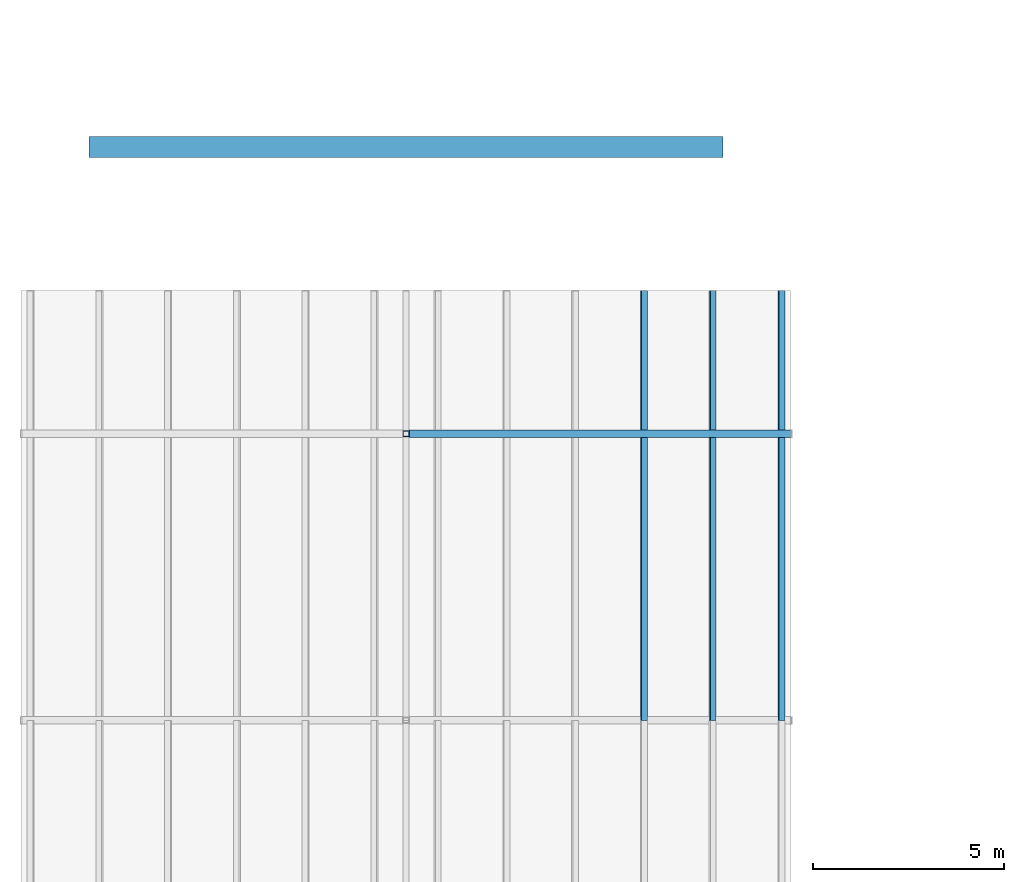
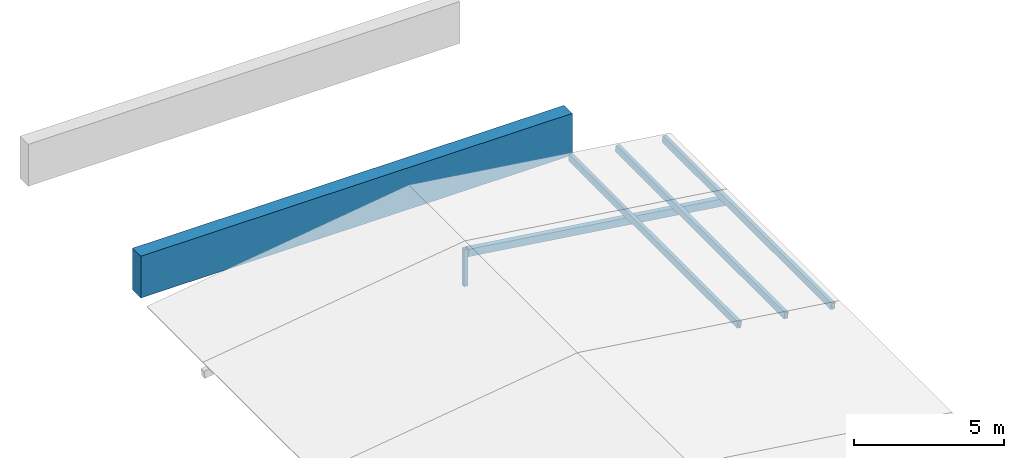
# One storey, part 11 of 52: 5 members, 1 beam.
"""IFC4 building model written with IfcOpenShell, lengths in metres."""

from ifc_helpers import new_model, si_unit, direction, frame, origin, origin_2d, place, context, subcontext, project, spatial, polyline, hollow_rectangle, outline, extrude, material, material_profile, profile_set, type_object, element, save


model = new_model("IFC4")

# Units and contexts
model_context = context("Model", 3, precision=1e-05, world=origin(), true_north=direction((0.0, 1.0)))
body_context = subcontext(model_context, "Body", "Model", "MODEL_VIEW")
ifc_project = project(units=[si_unit("LENGTHUNIT", "METRE"), si_unit("AREAUNIT", "SQUARE_METRE"), si_unit("VOLUMEUNIT", "CUBIC_METRE"), si_unit("PLANEANGLEUNIT", "RADIAN"), si_unit("MASSUNIT", "GRAM", prefix="KILO")], contexts=[model_context])

# Site, building, storey
site_placement = place(None, origin())
site = spatial("IfcSite", under=ifc_project, at=site_placement, CompositionType="ELEMENT")
building_placement = place(site_placement, origin())
building = spatial("IfcBuilding", under=site, at=building_placement, Name="Cour d'Honneur Mobility Palace", CompositionType="ELEMENT")
storey_placement = place(building_placement, frame((0.0, 0.0, 23.0)))
storey = spatial("IfcBuildingStorey", under=building, at=storey_placement, Name="L06", CompositionType="ELEMENT", Elevation=23.0)

# Beam
ifc_material_1 = material(Name="Concrete C45", Category="concrete")
ifc_material_profile_1 = material_profile(ifc_material_1, outline(polyline([(0.27490234375, -1.699951171875), (0.27490234375, 0.0), (-0.27490234375, 0.0), (-0.27490234375, -1.699951171875), (0.27490234375, -1.699951171875)])), Name="Edge Spandrel Beam 550x1700 no ledge plain")
ifc_profile_set_1 = profile_set([ifc_material_profile_1], Name="Concrete C45")
beam_type = type_object("IfcBeamType", Name="Edge Spandrel Beam 550x1700 no ledge plain", PredefinedType="SPANDREL", material=ifc_profile_set_1)
beam_placement = place(storey_placement, frame((0.39990234375, 107.39990234375, 0.0), z_axis=(1.0, 0.0, 0.0), x_axis=(0.0, 1.0, 0.0)))
element("IfcBeam", 1, at=beam_placement, inside=storey, type_object=beam_type, Name="Precast beam B22 1-2 L06", PredefinedType="SPANDREL", context=body_context, shape_type="SweptSolid", body=[
    extrude(outline(polyline([(0.27490234375, -1.699951171875), (0.27490234375, 0.0), (-0.27490234375, 0.0), (-0.27490234375, -1.699951171875), (0.27490234375, -1.699951171875)])), origin(), (0.0, 0.0, 1.0), 16.60009765625),
])

# Members
ifc_material_2 = material(Name="Steel S355", Category="steel")
ifc_material_profile_2 = material_profile(ifc_material_2, hollow_rectangle(XDim=0.14990234375, YDim=0.14990234375, WallThickness=0.008056640625, at=origin_2d()), Name="RHS 150x150x8")
ifc_profile_set_2 = profile_set([ifc_material_profile_2], Name="Steel S355")
member_type_1 = type_object("IfcMemberType", Name="Terrace king post RHS 150x150x8", PredefinedType="STRUT", material=ifc_profile_set_2)
member_1_placement = place(storey_placement, frame((8.699951171875, 99.89990234375, 0.300048828125), z_axis=(0.0, 0.0, 1.0), x_axis=(1.0, 0.0, 0.0)))
element("IfcMember", 2, at=member_1_placement, inside=storey, type_object=member_type_1, Name="Terrace king post TK-C5", PredefinedType="STRUT", context=body_context, shape_type="SweptSolid", body=[
    extrude(hollow_rectangle(XDim=0.14990234375, YDim=0.14990234375, WallThickness=0.008056640625, at=origin_2d()), origin(), (0.0, 0.0, 1.0), 1.5029296875),
])
ifc_material_3 = material(Name="Steel S355", Category="steel")
ifc_material_profile_3 = material_profile(ifc_material_3, hollow_rectangle(XDim=0.14990234375, YDim=0.25, WallThickness=0.010009765625, at=origin_2d()), Name="RHS 250x150x10")
ifc_profile_set_3 = profile_set([ifc_material_profile_3], Name="Steel S355")
member_type_2 = type_object("IfcMemberType", Name="Terrace purlin RHS 250x150x10", PredefinedType="PURLIN", material=ifc_profile_set_3)
for number, where, z_axis, x_axis, name in (
    (3, (18.52490234375, 92.39990234375, 0.55419921875), (0.0, 1.0, 0.0), (-0.990349673475, 0.0, 0.138591212736), "Terrace purlin TU-C7.4"),
    (4, (16.72509765625, 92.39990234375, 0.80615234375), (0.0, 1.0, 0.0), (-0.990349673475, 0.0, 0.138591212736), "Terrace purlin TU-C8.4"),
    (5, (14.925048828125, 92.39990234375, 1.05810546875), (0.0, 1.0, 0.0), (-0.990349673475, 0.0, 0.138591212736), "Terrace purlin TU-C9.4"),
):
    element("IfcMember", number, at=place(storey_placement, frame(where, z_axis=z_axis, x_axis=x_axis)), inside=storey, type_object=member_type_2, Name=name, PredefinedType="PURLIN", context=body_context, shape_type="SweptSolid", body=[
        extrude(hollow_rectangle(XDim=0.14990234375, YDim=0.25, WallThickness=0.010009765625, at=origin_2d()), origin(), (0.0, 0.0, 1.0), 11.25),
    ])
ifc_material_4 = material(Name="Steel S355", Category="steel")
ifc_material_profile_4 = material_profile(ifc_material_4, hollow_rectangle(XDim=0.199951171875, YDim=0.300048828125, WallThickness=0.012451171875, at=origin_2d()), Name="RHS 300x200x12.5")
ifc_profile_set_4 = profile_set([ifc_material_profile_4], Name="Steel S355")
member_type_3 = type_object("IfcMemberType", Name="Terrace rafter RHS 300x200x12.5", PredefinedType="RAFTER", material=ifc_profile_set_4)
member_2_placement = place(storey_placement, frame((8.77490234375, 99.89990234375, 1.640869140625), z_axis=(0.990349712833, 0.0, -0.138590931493), x_axis=(0.0, 1.0, 0.0)))
element("IfcMember", 6, at=member_2_placement, inside=storey, type_object=member_type_3, Name="Terrace rafter TF-C5E", PredefinedType="RAFTER", context=body_context, shape_type="SweptSolid", body=[
    extrude(hollow_rectangle(XDim=0.199951171875, YDim=0.300048828125, WallThickness=0.012451171875, at=origin_2d()), origin(), (0.0, 0.0, 1.0), 10.097412109375),
])

save(model, "model.ifc")
